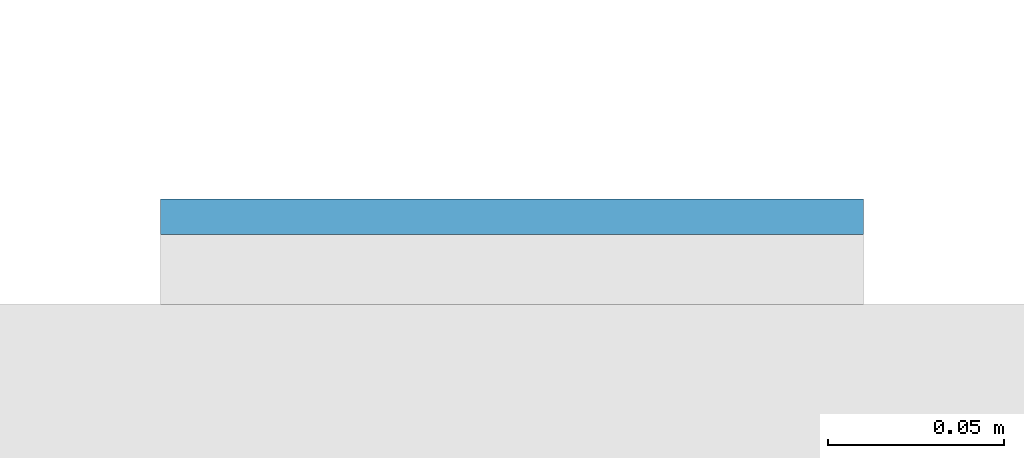
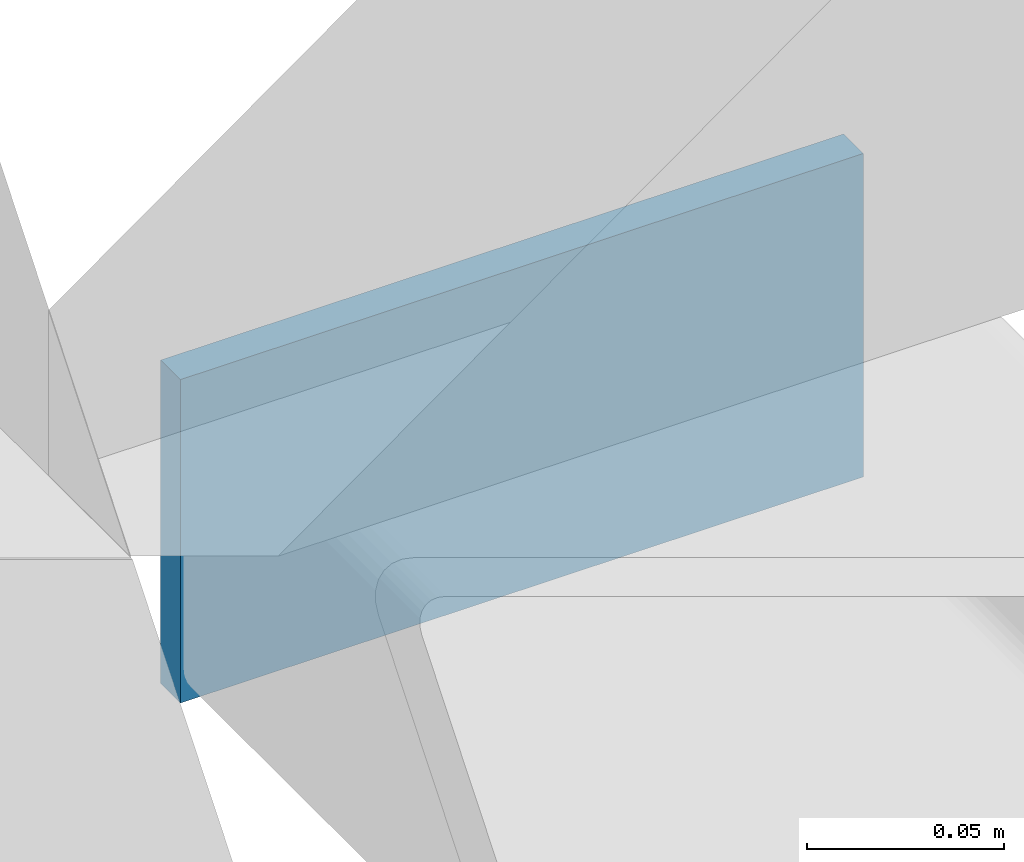
# One storey, part 11 of 20: 1 plate.
"""IFC4 building model written with IfcOpenShell, lengths in metres."""

import ifcopenshell
import ifcopenshell.guid

model = None  # the IFC model being written
_history = None  # IfcOwnerHistory: only IFC2X3 demands one
_inside = {}  # id of a spatial element -> (the spatial element, [elements in it])
_under = {}  # id of a project, library or spatial element -> (it, [spatial elements below it])
_declared = {}  # id of a project -> (the project, [libraries it declares])
_typed = {}  # id of a type object -> (the type object, [elements of that type])
_made_of = {}  # id of a material, layer set ... -> (it, [elements and type objects made of it])


def new_model(schema):
    """Start an empty IFC model of exactly this schema.

    Asked for "IFC4X3", IfcOpenShell would pick the latest addendum, in which some entities
    have other attributes; the version numbers below select the first issue.
    IFC2X3 requires an IfcOwnerHistory on every rooted entity: one is made here for all.
    """
    global model, _history
    if schema == "IFC4X3":
        model = ifcopenshell.file(schema_version=(4, 3, 0, 0))
    else:
        model = ifcopenshell.file(schema=schema)
    _inside.clear()
    _under.clear()
    _declared.clear()
    _typed.clear()
    _made_of.clear()
    _history = None
    if model.schema == "IFC2X3":
        org = make("IfcOrganization", Name="unknown")
        user = make(
            "IfcPersonAndOrganization",
            ThePerson=make("IfcPerson", FamilyName="unknown"),
            TheOrganization=org,
        )
        app = make(
            "IfcApplication",
            ApplicationDeveloper=org,
            Version="unknown",
            ApplicationFullName="unknown",
            ApplicationIdentifier="unknown",
        )
        _history = make(
            "IfcOwnerHistory",
            OwningUser=user,
            OwningApplication=app,
            ChangeAction="ADDED",
            CreationDate=0,
        )
    return model


def make(cls, **values):
    """One entity of the class cls with the attributes given. An attribute that is None is left unset."""
    return model.create_entity(
        cls, **{name: value for name, value in values.items() if value is not None}
    )


def rooted(cls, **values):
    """An entity with a GlobalId (a new one), such as an element, a storey or a relation."""
    return make(cls, GlobalId=ifcopenshell.guid.new(), OwnerHistory=_history, **values)


def si_unit(unit_type, name, prefix=None):
    """IfcSIUnit, for example si_unit("LENGTHUNIT", "METRE", prefix="MILLI")."""
    return make("IfcSIUnit", UnitType=unit_type, Prefix=prefix, Name=name)


def assignment(units):
    """IfcUnitAssignment: the units of a project."""
    return None if units is None else make("IfcUnitAssignment", Units=units)


def point(xyz):
    """IfcCartesianPoint."""
    return None if xyz is None else make("IfcCartesianPoint", Coordinates=xyz)


def direction(xyz):
    """IfcDirection."""
    return None if xyz is None else make("IfcDirection", DirectionRatios=xyz)


def frame(location, z_axis=None, x_axis=None):
    """IfcAxis2Placement3D, a coordinate frame: its origin and axes. An axis left out is left unset."""
    return make(
        "IfcAxis2Placement3D",
        Location=point(location),
        Axis=direction(z_axis),
        RefDirection=direction(x_axis),
    )


def frame_2d(location, x_axis=None):
    """IfcAxis2Placement2D, a coordinate frame in the plane: its origin and x axis."""
    return make(
        "IfcAxis2Placement2D", Location=point(location), RefDirection=direction(x_axis)
    )


def origin():
    """The frame at (0, 0, 0) with its axes left unset."""
    return frame((0.0, 0.0, 0.0))


def origin_2d():
    """The frame at (0, 0) in the plane with its x axis left unset."""
    return frame_2d((0.0, 0.0))


def place(relative_to, where):
    """IfcLocalPlacement: puts the frame where relative to a parent placement (None: the world)."""
    return make(
        "IfcLocalPlacement", PlacementRelTo=relative_to, RelativePlacement=where
    )


def context(
    kind, dimensions, precision=None, world=None, true_north=None, identifier=None
):
    """IfcGeometricRepresentationContext, for example the 3D "Model" context."""
    return make(
        "IfcGeometricRepresentationContext",
        ContextIdentifier=identifier,
        ContextType=kind,
        CoordinateSpaceDimension=dimensions,
        Precision=precision,
        WorldCoordinateSystem=world,
        TrueNorth=true_north,
    )


def subcontext(parent, identifier, kind, view, scale=None):
    """IfcGeometricRepresentationSubContext, for example "Body" below "Model"."""
    return make(
        "IfcGeometricRepresentationSubContext",
        ContextIdentifier=identifier,
        ContextType=kind,
        ParentContext=parent,
        TargetScale=scale,
        TargetView=view,
    )


def project(units=None, contexts=None):
    """IfcProject with its units and contexts."""
    return rooted(
        "IfcProject",
        Name="project",
        RepresentationContexts=contexts,
        UnitsInContext=assignment(units),
    )


def spatial(cls, under=None, at=None, **own):
    """A site, building, storey or space (cls), placed at a placement, below another one or the project."""
    s = rooted(cls, ObjectPlacement=at, **own)
    if under is not None:
        _under.setdefault(under.id(), (under, []))[1].append(s)
    return s


def profile(cls, at=None, kind="AREA", **sizes):
    """A parametric profile (cls). Its sizes go by their IFC names, for example OverallWidth=200.0."""
    return make(cls, ProfileType=kind, Position=at, **sizes)


def rectangle(**sizes):
    """IfcRectangleProfileDef."""
    return profile("IfcRectangleProfileDef", **sizes)


def extrude(swept, where, along, depth):
    """IfcExtrudedAreaSolid: the profile swept, set in the frame where, extruded along a direction by depth."""
    return make(
        "IfcExtrudedAreaSolid",
        SweptArea=swept,
        Position=where,
        ExtrudedDirection=direction(along),
        Depth=depth,
    )


def shape(context_of_items, identifier, shape_type, items):
    """IfcShapeRepresentation: the items that make up one representation, for example the "Body"."""
    return make(
        "IfcShapeRepresentation",
        ContextOfItems=context_of_items,
        RepresentationIdentifier=identifier,
        RepresentationType=shape_type,
        Items=items,
    )


def material(Name=None, Category=None):
    """IfcMaterial."""
    return make("IfcMaterial", Name=Name, Category=Category)


def layer(
    of_material, thickness, ventilated=None, Name=None, Category=None, Priority=None
):
    """IfcMaterialLayer: one layer of a wall or slab, of a material (None: an air gap)."""
    return make(
        "IfcMaterialLayer",
        Material=of_material,
        LayerThickness=thickness,
        IsVentilated=ventilated,
        Name=Name,
        Category=Category,
        Priority=Priority,
    )


def layer_set(layers, Name=None):
    """IfcMaterialLayerSet."""
    return make("IfcMaterialLayerSet", MaterialLayers=layers, LayerSetName=Name)


def made_of(thing, what):
    """Note that an element or type object is made of a material, layer set ...; save() writes the relation."""
    if what is not None:
        _made_of.setdefault(what.id(), (what, []))[1].append(thing)
    return thing


def type_object(cls, material=None, **own):
    """A type object (cls), such as IfcWallType, which elements share."""
    return made_of(rooted(cls, **own), material)


def element(
    cls,
    number,
    at=None,
    inside=None,
    cuts=None,
    type_object=None,
    material=None,
    context=None,
    identifier="Body",
    shape_type=None,
    held_by="IfcProductDefinitionShape",
    body=None,
    shapes=None,
    **own,
):
    """One element of the class cls, such as IfcWall. Its Tag is "e" and its number.

    at: its placement. inside: the storey or other place that contains it. cuts: it is an
    opening in that element (IfcRelVoidsElement). A single representation is given by context,
    identifier, shape_type and body (its items); several are given by shapes. held_by: the class
    of the entity that holds the representations. save() writes the other relations.
    """
    e = rooted(cls, Tag="e%d" % number, ObjectPlacement=at, **own)
    if body is not None:
        shapes = [shape(context, identifier, shape_type, body)]
    if shapes is not None:
        e.Representation = make(held_by, Representations=shapes)
    if inside is not None:
        _inside.setdefault(inside.id(), (inside, []))[1].append(e)
    if cuts is not None:
        rooted(
            "IfcRelVoidsElement", RelatingBuildingElement=cuts, RelatedOpeningElement=e
        )
    if type_object is not None:
        _typed.setdefault(type_object.id(), (type_object, []))[1].append(e)
    return made_of(e, material)


def aggregate(whole, parts):
    """IfcRelAggregates: a whole, such as a stair, and the parts it consists of."""
    return rooted("IfcRelAggregates", RelatingObject=whole, RelatedObjects=parts)


def save(model, path):
    """Write the relations noted so far, then the file.

    IfcRelAggregates (storeys below a building ...), IfcRelContainedInSpatialStructure (elements
    in a storey), IfcRelDefinesByType, IfcRelAssociatesMaterial and IfcRelDeclares: one each for
    every whole, place, type object, material and project.
    """
    for whole, parts in _under.values():
        aggregate(whole, parts)
    for where, things in _inside.values():
        rooted(
            "IfcRelContainedInSpatialStructure",
            RelatedElements=things,
            RelatingStructure=where,
        )
    for kind, things in _typed.values():
        rooted("IfcRelDefinesByType", RelatedObjects=things, RelatingType=kind)
    for what, things in _made_of.values():
        rooted("IfcRelAssociatesMaterial", RelatedObjects=things, RelatingMaterial=what)
    for by, libraries in _declared.values():
        rooted("IfcRelDeclares", RelatingContext=by, RelatedDefinitions=libraries)
    model.write(path)


model = new_model("IFC4")

# Units and contexts
model_context = context("Model", 3, precision=1e-05, world=origin(), true_north=direction((0.0, 1.0)))
body_context = subcontext(model_context, "Body", "Model", "MODEL_VIEW")
ifc_project = project(units=[si_unit("LENGTHUNIT", "METRE"), si_unit("AREAUNIT", "SQUARE_METRE"), si_unit("VOLUMEUNIT", "CUBIC_METRE"), si_unit("PLANEANGLEUNIT", "RADIAN"), si_unit("MASSUNIT", "GRAM", prefix="KILO")], contexts=[model_context])

# Site, building, storey
site_placement = place(None, origin())
site = spatial("IfcSite", under=ifc_project, at=site_placement, CompositionType="ELEMENT")
building_placement = place(site_placement, origin())
building = spatial("IfcBuilding", under=site, at=building_placement, Name="Cleftline Residences", CompositionType="ELEMENT")
storey_placement = place(building_placement, frame((0.0, 0.0, 54.800048828125)))
storey = spatial("IfcBuildingStorey", under=building, at=storey_placement, Name="L13", CompositionType="ELEMENT", Elevation=54.800048828125)

# Plate
ifc_material = material(Name="Steel S355, hot-dip galvanised", Category="steel")
ifc_layer = layer(ifc_material, 0.010009765625)
ifc_layer_set = layer_set([ifc_layer], Name="BAGUETTE CARRIER END PLATE 200X100X10")
plate_type = type_object("IfcPlateType", Name="BAGUETTE CARRIER END PLATE 200X100X10", PredefinedType="USERDEFINED", material=ifc_layer_set)
plate_placement = place(storey_placement, frame((66.85009765625, 44.304931640625, -0.10009765625), z_axis=(0.0, 0.0, 1.0), x_axis=(1.0, 0.0, 0.0)))
element("IfcPlate", 1, at=plate_placement, inside=storey, type_object=plate_type, Name="Baguette carrier end plate", ObjectType="BAGUETTE CARRIER END PLATE", PredefinedType="USERDEFINED", context=body_context, shape_type="SweptSolid", body=[
    extrude(rectangle(XDim=0.199951171875, YDim=0.010009765625, at=origin_2d()), origin(), (0.0, 0.0, 1.0), 0.10009765625),
])

save(model, "model.ifc")
